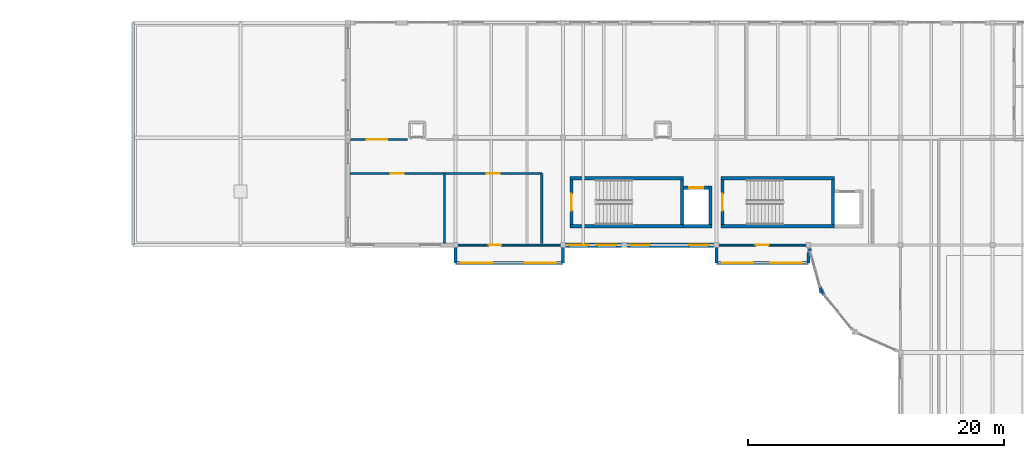
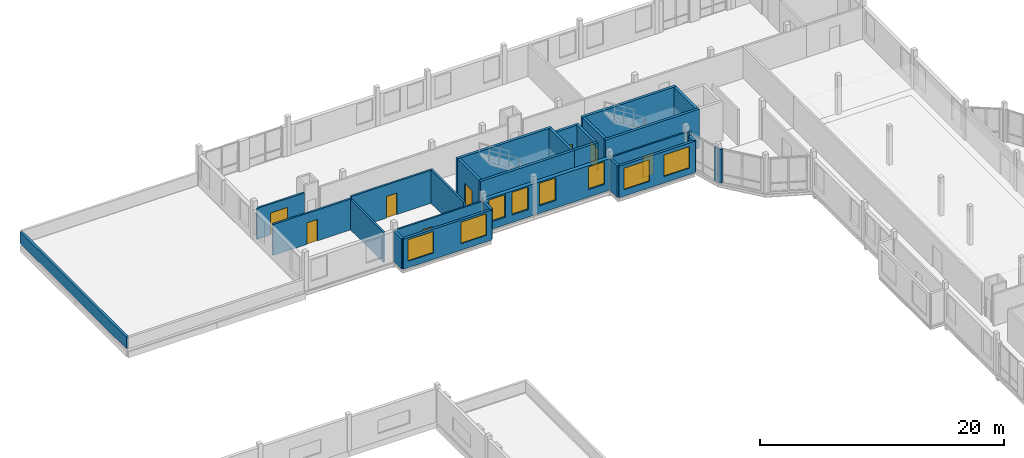
# One storey, part 41 of 57: 30 walls, 8 doors, 8 windows, 16 openings.
"""IFC4 building model written with IfcOpenShell, lengths in metres."""

from ifc_helpers import new_model, si_unit, direction, frame, frame_2d, origin, place, context, subcontext, project, spatial, rectangle, extrude, material, layer, layer_set, type_object, element, fill, save


model = new_model("IFC4")

# Units and contexts
model_context = context("Model", 3, precision=1e-05, world=origin(), true_north=direction((0.0, 1.0)))
body_context = subcontext(model_context, "Body", "Model", "MODEL_VIEW")
ifc_project = project(units=[si_unit("LENGTHUNIT", "METRE"), si_unit("AREAUNIT", "SQUARE_METRE"), si_unit("VOLUMEUNIT", "CUBIC_METRE"), si_unit("PLANEANGLEUNIT", "RADIAN"), si_unit("MASSUNIT", "GRAM", prefix="KILO")], contexts=[model_context])

# Site, building, storey
site_placement = place(None, origin())
site = spatial("IfcSite", under=ifc_project, at=site_placement, CompositionType="ELEMENT")
building_placement = place(site_placement, origin())
building = spatial("IfcBuilding", under=site, at=building_placement, Name="Kahlenmark Community Centre", CompositionType="ELEMENT")
storey_placement = place(building_placement, frame((0.0, 0.0, 13.800048828125)))
storey = spatial("IfcBuildingStorey", under=building, at=storey_placement, Name="L03", CompositionType="ELEMENT", Elevation=13.800048828125)

# Wall, opening, door
ifc_material_1 = material(Name="Concrete C35/45", Category="concrete")
ifc_layer_1 = layer(ifc_material_1, 0.25)
ifc_layer_set_1 = layer_set([ifc_layer_1], Name="Concrete C35/45")
wall_type_1 = type_object("IfcWallType", Name="WT-CORE-250", PredefinedType="SHEAR", material=ifc_layer_set_1)
wall_1_placement = place(storey_placement, frame((46.675048828125, 102.699951171875, 0.0), z_axis=(0.0, 0.0, 1.0), x_axis=(0.0, -1.0, 0.0)))
wall_1 = element("IfcWall", 1, at=wall_1_placement, inside=storey, type_object=wall_type_1, Name="Core K4 shear wall WL-CORE-K4-L03-0127", PredefinedType="SHEAR", context=body_context, shape_type="SweptSolid", body=[
    extrude(rectangle(XDim=3.5, YDim=0.25, at=frame_2d((1.75, 0.0))), origin(), (0.0, 0.0, 1.0), 3.89990234375),
])
opening_1_placement = place(wall_1_placement, frame((1.10009765625, 0.0, -0.010009765625)))
opening_1 = element("IfcOpeningElement", 2, at=opening_1_placement, cuts=wall_1, Name="Opening FD-K4-L03", PredefinedType="OPENING", context=body_context, shape_type="SweptSolid", body=[
    extrude(rectangle(XDim=1.300048828125, YDim=2.159912109375, at=frame_2d((0.64990234375, 1.080078125))), frame((0.0, 0.135009765625, 0.0), z_axis=(0.0, -1.0, 0.0), x_axis=(1.0, 0.0, 0.0)), (0.0, 0.0, 1.0), 0.27001953125),
])
ifc_material_2 = material(Name="Fire-rated steel-framed timber door FD60S", Category="steel")
door_type_1 = type_object("IfcDoorType", Name="DT-FD-K4-L03", OperationType="NOTDEFINED", PredefinedType="DOOR", material=ifc_material_2)
door_1_placement = place(opening_1_placement, frame((0.0, 0.0, 0.010009765625)))
door_1 = element("IfcDoor", 3, at=door_1_placement, inside=storey, type_object=door_type_1, Name="Core K4 stair fire door L03", OperationType="SINGLE_SWING_RIGHT", OverallHeight=2.14990234375, OverallWidth=1.300048828125, PredefinedType="DOOR", context=body_context, shape_type="SweptSolid", body=[
    extrude(rectangle(XDim=1.300048828125, YDim=2.14990234375, at=frame_2d((0.64990234375, 1.074951171875))), frame((0.0, 0.02490234375, 0.0), z_axis=(0.0, -1.0, 0.0), x_axis=(1.0, 0.0, 0.0)), (0.0, 0.0, 1.0), 0.050048828125),
])
fill(opening_1, door_1)

# Walls
for number, where, z_axis, x_axis, name in (
    (4, (46.550048828125, 99.074951171875, 0.0), (0.0, 0.0, 1.0), (1.0, 0.0, 0.0), "Core K4 shear wall WL-CORE-K4-L03-0128"),
    (5, (46.550048828125, 102.824951171875, 0.0), (0.0, 0.0, 1.0), (1.0, 0.0, 0.0), "Core K4 shear wall WL-CORE-K4-L03-0129"),
):
    element("IfcWall", number, at=place(storey_placement, frame(where, z_axis=z_axis, x_axis=x_axis)), inside=storey, type_object=wall_type_1, Name=name, PredefinedType="SHEAR", context=body_context, shape_type="SweptSolid", body=[
        extrude(rectangle(XDim=8.89990234375, YDim=0.25, at=frame_2d((4.449951171875, 0.0))), origin(), (0.0, 0.0, 1.0), 3.89990234375),
    ])
wall_2_placement = place(storey_placement, frame((55.324951171875, 99.199951171875, 0.0), z_axis=(0.0, 0.0, 1.0), x_axis=(0.0, 1.0, 0.0)))
element("IfcWall", 6, at=wall_2_placement, inside=storey, type_object=wall_type_1, Name="Core K4 shear wall WL-CORE-K4-L03-0130", PredefinedType="SHEAR", context=body_context, shape_type="SweptSolid", body=[
    extrude(rectangle(XDim=3.5, YDim=0.25, at=frame_2d((1.75, 0.0))), origin(), (0.0, 0.0, 1.0), 3.89990234375),
])
wall_3_placement = place(storey_placement, frame((55.449951171875, 99.074951171875, 0.0), z_axis=(0.0, 0.0, 1.0), x_axis=(1.0, 0.0, 0.0)))
element("IfcWall", 7, at=wall_3_placement, inside=storey, type_object=wall_type_1, Name="Core K4 shear wall WL-CORE-K4-L03-0131", PredefinedType="SHEAR", context=body_context, shape_type="SweptSolid", body=[
    extrude(rectangle(XDim=2.2099609375, YDim=0.25, at=frame_2d((1.10498046875, 0.0))), origin(), (0.0, 0.0, 1.0), 3.89990234375),
])
wall_4_placement = place(storey_placement, frame((57.534912109375, 98.949951171875, 0.0), z_axis=(0.0, 0.0, 1.0), x_axis=(0.0, 1.0, 0.0)))
element("IfcWall", 8, at=wall_4_placement, inside=storey, type_object=wall_type_1, Name="Core K4 shear wall WL-CORE-K4-L03-0132", PredefinedType="SHEAR", context=body_context, shape_type="SweptSolid", body=[
    extrude(rectangle(XDim=3.260009765625, YDim=0.25, at=frame_2d((1.6298828125, 0.0))), origin(), (0.0, 0.0, 1.0), 3.89990234375),
])

# Wall, opening, door
wall_5_placement = place(storey_placement, frame((55.449951171875, 102.0849609375, 0.0), z_axis=(0.0, 0.0, 1.0), x_axis=(1.0, 0.0, 0.0)))
wall_5 = element("IfcWall", 9, at=wall_5_placement, inside=storey, type_object=wall_type_1, Name="Core K4 shear wall WL-CORE-K4-L03-0133", PredefinedType="SHEAR", context=body_context, shape_type="SweptSolid", body=[
    extrude(rectangle(XDim=1.9599609375, YDim=0.25, at=frame_2d((0.97998046875, 0.0))), origin(), (0.0, 0.0, 1.0), 3.89990234375),
])
opening_2_placement = place(wall_5_placement, frame((0.429931640625, 0.0, -0.010009765625)))
opening_2 = element("IfcOpeningElement", 10, at=opening_2_placement, cuts=wall_5, Name="Opening LD-4", PredefinedType="OPENING", context=body_context, shape_type="SweptSolid", body=[
    extrude(rectangle(XDim=1.10009765625, YDim=2.159912109375, at=frame_2d((0.550048828125, 1.080078125))), frame((0.0, 0.135009765625, 0.0), z_axis=(0.0, -1.0, 0.0), x_axis=(1.0, 0.0, 0.0)), (0.0, 0.0, 1.0), 0.27001953125),
])
ifc_material_3 = material(Name="Brushed stainless steel sliding lift landing door", Category="steel")
door_type_2 = type_object("IfcDoorType", Name="DT-LD-K4", OperationType="SLIDING_TO_LEFT", PredefinedType="DOOR", material=ifc_material_3)
door_2_placement = place(opening_2_placement, frame((0.0, 0.0, 0.010009765625)))
door_2 = element("IfcDoor", 11, at=door_2_placement, inside=storey, type_object=door_type_2, Name="Lift LF-04 sliding landing door L03", OperationType="SLIDING_TO_LEFT", OverallHeight=2.14990234375, OverallWidth=1.10009765625, PredefinedType="DOOR", context=body_context, shape_type="SweptSolid", body=[
    extrude(rectangle(XDim=1.10009765625, YDim=2.14990234375, at=frame_2d((0.550048828125, 1.074951171875))), frame((0.0, 0.02490234375, 0.0), z_axis=(0.0, -1.0, 0.0), x_axis=(1.0, 0.0, 0.0)), (0.0, 0.0, 1.0), 0.050048828125),
])
fill(opening_2, door_2)

wall_6_placement = place(storey_placement, frame((58.47509765625, 102.699951171875, 0.0), z_axis=(0.0, 0.0, 1.0), x_axis=(0.0, -1.0, 0.0)))
wall_6 = element("IfcWall", 12, at=wall_6_placement, inside=storey, type_object=wall_type_1, Name="Core K5 shear wall WL-CORE-K5-L03-0176", PredefinedType="SHEAR", context=body_context, shape_type="SweptSolid", body=[
    extrude(rectangle(XDim=3.5, YDim=0.25, at=frame_2d((1.75, 0.0))), origin(), (0.0, 0.0, 1.0), 3.89990234375),
])
opening_3_placement = place(wall_6_placement, frame((1.10009765625, 0.0, -0.010009765625)))
opening_3 = element("IfcOpeningElement", 13, at=opening_3_placement, cuts=wall_6, Name="Opening FD-K5-L03", PredefinedType="OPENING", context=body_context, shape_type="SweptSolid", body=[
    extrude(rectangle(XDim=1.300048828125, YDim=2.159912109375, at=frame_2d((0.64990234375, 1.080078125))), frame((0.0, 0.135009765625, 0.0), z_axis=(0.0, -1.0, 0.0), x_axis=(1.0, 0.0, 0.0)), (0.0, 0.0, 1.0), 0.27001953125),
])
door_type_3 = type_object("IfcDoorType", Name="DT-FD-K5-L03", OperationType="NOTDEFINED", PredefinedType="DOOR", material=ifc_material_2)
door_3_placement = place(opening_3_placement, frame((1.300048828125, 0.0, 0.010009765625), z_axis=(0.0, 0.0, 1.0), x_axis=(-1.0, 0.0, 0.0)))
door_3 = element("IfcDoor", 14, at=door_3_placement, inside=storey, type_object=door_type_3, Name="Core K5 stair fire door L03", OperationType="SINGLE_SWING_LEFT", OverallHeight=2.14990234375, OverallWidth=1.300048828125, PredefinedType="DOOR", context=body_context, shape_type="SweptSolid", body=[
    extrude(rectangle(XDim=1.300048828125, YDim=2.14990234375, at=frame_2d((0.64990234375, 1.074951171875))), frame((0.0, 0.02490234375, 0.0), z_axis=(0.0, -1.0, 0.0), x_axis=(1.0, 0.0, 0.0)), (0.0, 0.0, 1.0), 0.050048828125),
])
fill(opening_3, door_3)

# Walls
for number, where, z_axis, x_axis, name in (
    (15, (58.35009765625, 99.074951171875, 0.0), (0.0, 0.0, 1.0), (1.0, 0.0, 0.0), "Core K5 shear wall WL-CORE-K5-L03-0177"),
    (16, (58.35009765625, 102.824951171875, 0.0), (0.0, 0.0, 1.0), (1.0, 0.0, 0.0), "Core K5 shear wall WL-CORE-K5-L03-0178"),
):
    element("IfcWall", number, at=place(storey_placement, frame(where, z_axis=z_axis, x_axis=x_axis)), inside=storey, type_object=wall_type_1, Name=name, PredefinedType="SHEAR", context=body_context, shape_type="SweptSolid", body=[
        extrude(rectangle(XDim=8.89990234375, YDim=0.25, at=frame_2d((4.449951171875, 0.0))), origin(), (0.0, 0.0, 1.0), 3.89990234375),
    ])
wall_7_placement = place(storey_placement, frame((67.125, 99.199951171875, 0.0), z_axis=(0.0, 0.0, 1.0), x_axis=(0.0, 1.0, 0.0)))
element("IfcWall", 17, at=wall_7_placement, inside=storey, type_object=wall_type_1, Name="Core K5 shear wall WL-CORE-K5-L03-0179", PredefinedType="SHEAR", context=body_context, shape_type="SweptSolid", body=[
    extrude(rectangle(XDim=3.5, YDim=0.25, at=frame_2d((1.75, 0.0))), origin(), (0.0, 0.0, 1.0), 3.89990234375),
])
ifc_material_4 = material(Name="Cross-laminated timber CLT C24", Category="wood")
ifc_layer_2 = layer(ifc_material_4, 0.239990234375)
ifc_layer_set_2 = layer_set([ifc_layer_2], Name="Cross-laminated timber CLT C24")
wall_type_2 = type_object("IfcWallType", Name="WT-EW-240", PredefinedType="SOLIDWALL", material=ifc_layer_set_2)
wall_8_placement = place(storey_placement, frame((65.27490234375, 97.330078125, 0.0), z_axis=(0.0, 0.0, 1.0), x_axis=(0.267529355044, -0.963549710285, 0.0)))
element("IfcWall", 18, at=wall_8_placement, inside=storey, type_object=wall_type_2, Name="Rotunda pier closure 0786", PredefinedType="SOLIDWALL", context=body_context, shape_type="SweptSolid", body=[
    extrude(rectangle(XDim=0.219970703125, YDim=0.239990234375, at=frame_2d((0.10986328125, 0.0))), origin(), (0.0, 0.0, 1.0), 3.369873046875),
])
for number, where, z_axis, x_axis, name in (
    (19, (66.10888671875, 94.32763671875, 0.0), (0.0, 0.0, 1.0), (0.267791974516, -0.963476755498, 0.0), "Rotunda pier closure 0787"),
    (20, (66.199951171875, 94.0, 0.0), (0.0, 0.0, 1.0), (0.630457451131, -0.776223809422, 0.0), "Rotunda pier closure 0788"),
):
    element("IfcWall", number, at=place(storey_placement, frame(where, z_axis=z_axis, x_axis=x_axis)), inside=storey, type_object=wall_type_2, Name=name, PredefinedType="SOLIDWALL", context=body_context, shape_type="SweptSolid", body=[
        extrude(rectangle(XDim=0.340087890625, YDim=0.239990234375, at=frame_2d((0.169921875, 0.0))), origin(), (0.0, 0.0, 1.0), 3.369873046875),
    ])
wall_9_placement = place(storey_placement, frame((37.60009765625, 97.449951171875, 0.0), z_axis=(0.0, 0.0, 1.0), x_axis=(0.0, -1.0, 0.0)))
element("IfcWall", 21, at=wall_9_placement, inside=storey, type_object=wall_type_2, Name="Bay oriel wall WL-ORI-L03-0826", PredefinedType="SOLIDWALL", context=body_context, shape_type="SweptSolid", body=[
    extrude(rectangle(XDim=1.25, YDim=0.239990234375, at=frame_2d((0.625, 0.0))), origin(), (0.0, 0.0, 1.0), 3.010009765625),
])

# Wall, openings, windows
wall_10_placement = place(storey_placement, frame((37.60009765625, 96.199951171875, 0.0), z_axis=(0.0, 0.0, 1.0), x_axis=(1.0, 0.0, 0.0)))
wall_10 = element("IfcWall", 22, at=wall_10_placement, inside=storey, type_object=wall_type_2, Name="Bay oriel wall WL-ORI-L03-0827", PredefinedType="SOLIDWALL", context=body_context, shape_type="SweptSolid", body=[
    extrude(rectangle(XDim=8.39990234375, YDim=0.239990234375, at=frame_2d((4.199951171875, 0.0))), origin(), (0.0, 0.0, 1.0), 3.010009765625),
])
opening_4_placement = place(wall_10_placement, frame((0.4599609375, 0.0, 0.64990234375)))
opening_4 = element("IfcOpeningElement", 23, at=opening_4_placement, cuts=wall_10, Name="Opening W-240X215", PredefinedType="OPENING", context=body_context, shape_type="SweptSolid", body=[
    extrude(rectangle(XDim=2.39990234375, YDim=2.14990234375, at=frame_2d((1.199951171875, 1.074951171875))), frame((0.0, 0.1298828125, 0.0), z_axis=(0.0, -1.0, 0.0), x_axis=(1.0, 0.0, 0.0)), (0.0, 0.0, 1.0), 0.260009765625),
])
opening_5_placement = place(wall_10_placement, frame((5.4599609375, 0.0, 0.64990234375)))
opening_5 = element("IfcOpeningElement", 24, at=opening_5_placement, cuts=wall_10, Name="Opening W-240X215", PredefinedType="OPENING", context=body_context, shape_type="SweptSolid", body=[
    extrude(rectangle(XDim=2.39990234375, YDim=2.14990234375, at=frame_2d((1.199951171875, 1.074951171875))), frame((0.0, 0.1298828125, 0.0), z_axis=(0.0, -1.0, 0.0), x_axis=(1.0, 0.0, 0.0)), (0.0, 0.0, 1.0), 0.260009765625),
])
ifc_material_5 = material(Name="Triple low-e insulated glazing in timber-aluminium frame", Category="wood")
window_type_1 = type_object("IfcWindowType", Name="WNT-240X215", PartitioningType="TRIPLE_PANEL_VERTICAL", PredefinedType="WINDOW", material=ifc_material_5)
window_1_placement = place(opening_4_placement, origin())
window_1 = element("IfcWindow", 25, at=window_1_placement, inside=storey, type_object=window_type_1, Name="Window W-240X215 #0515", OverallHeight=2.14990234375, OverallWidth=2.39990234375, PartitioningType="TRIPLE_PANEL_VERTICAL", PredefinedType="WINDOW", context=body_context, shape_type="SweptSolid", body=[
    extrude(rectangle(XDim=2.39990234375, YDim=2.14990234375, at=frame_2d((1.199951171875, 1.074951171875))), frame((0.0, 0.030029296875, 0.0), z_axis=(0.0, -1.0, 0.0), x_axis=(1.0, 0.0, 0.0)), (0.0, 0.0, 1.0), 0.06005859375),
])
fill(opening_4, window_1)
window_2_placement = place(opening_5_placement, origin())
window_2 = element("IfcWindow", 26, at=window_2_placement, inside=storey, type_object=window_type_1, Name="Window W-240X215 #0516", OverallHeight=2.14990234375, OverallWidth=2.39990234375, PartitioningType="TRIPLE_PANEL_VERTICAL", PredefinedType="WINDOW", context=body_context, shape_type="SweptSolid", body=[
    extrude(rectangle(XDim=2.39990234375, YDim=2.14990234375, at=frame_2d((1.199951171875, 1.074951171875))), frame((0.0, 0.030029296875, 0.0), z_axis=(0.0, -1.0, 0.0), x_axis=(1.0, 0.0, 0.0)), (0.0, 0.0, 1.0), 0.06005859375),
])
fill(opening_5, window_2)

# Walls
wall_11_placement = place(storey_placement, frame((46.0, 96.199951171875, 0.0), z_axis=(0.0, 0.0, 1.0), x_axis=(0.0, 1.0, 0.0)))
element("IfcWall", 27, at=wall_11_placement, inside=storey, type_object=wall_type_2, Name="Bay oriel wall WL-ORI-L03-0828", PredefinedType="SOLIDWALL", context=body_context, shape_type="SweptSolid", body=[
    extrude(rectangle(XDim=1.25, YDim=0.239990234375, at=frame_2d((0.625, 0.0))), origin(), (0.0, 0.0, 1.0), 3.010009765625),
])
wall_12_placement = place(storey_placement, frame((58.0, 97.449951171875, 0.0), z_axis=(0.0, 0.0, 1.0), x_axis=(0.0, -1.0, 0.0)))
element("IfcWall", 28, at=wall_12_placement, inside=storey, type_object=wall_type_2, Name="Bay oriel wall WL-ORI-L03-0838", PredefinedType="SOLIDWALL", context=body_context, shape_type="SweptSolid", body=[
    extrude(rectangle(XDim=1.25, YDim=0.239990234375, at=frame_2d((0.625, 0.0))), origin(), (0.0, 0.0, 1.0), 3.14990234375),
])

# Wall, openings, windows
wall_13_placement = place(storey_placement, frame((58.0, 96.199951171875, 0.0), z_axis=(0.0, 0.0, 1.0), x_axis=(1.0, 0.0, 0.0)))
wall_13 = element("IfcWall", 29, at=wall_13_placement, inside=storey, type_object=wall_type_2, Name="Bay oriel wall WL-ORI-L03-0839", PredefinedType="SOLIDWALL", context=body_context, shape_type="SweptSolid", body=[
    extrude(rectangle(XDim=7.199951171875, YDim=0.239990234375, at=frame_2d((3.60009765625, 0.0))), origin(), (0.0, 0.0, 1.0), 3.14990234375),
])
opening_6_placement = place(wall_13_placement, frame((0.4599609375, 0.0, 0.64990234375)))
opening_6 = element("IfcOpeningElement", 30, at=opening_6_placement, cuts=wall_13, Name="Opening W-240X215", PredefinedType="OPENING", context=body_context, shape_type="SweptSolid", body=[
    extrude(rectangle(XDim=2.39990234375, YDim=2.14990234375, at=frame_2d((1.199951171875, 1.074951171875))), frame((0.0, 0.1298828125, 0.0), z_axis=(0.0, -1.0, 0.0), x_axis=(1.0, 0.0, 0.0)), (0.0, 0.0, 1.0), 0.260009765625),
])
opening_7_placement = place(wall_13_placement, frame((4.260009765625, 0.0, 0.64990234375)))
opening_7 = element("IfcOpeningElement", 31, at=opening_7_placement, cuts=wall_13, Name="Opening W-240X215", PredefinedType="OPENING", context=body_context, shape_type="SweptSolid", body=[
    extrude(rectangle(XDim=2.39990234375, YDim=2.14990234375, at=frame_2d((1.199951171875, 1.074951171875))), frame((0.0, 0.1298828125, 0.0), z_axis=(0.0, -1.0, 0.0), x_axis=(1.0, 0.0, 0.0)), (0.0, 0.0, 1.0), 0.260009765625),
])
window_3_placement = place(opening_6_placement, origin())
window_3 = element("IfcWindow", 32, at=window_3_placement, inside=storey, type_object=window_type_1, Name="Window W-240X215 #0523", OverallHeight=2.14990234375, OverallWidth=2.39990234375, PartitioningType="TRIPLE_PANEL_VERTICAL", PredefinedType="WINDOW", context=body_context, shape_type="SweptSolid", body=[
    extrude(rectangle(XDim=2.39990234375, YDim=2.14990234375, at=frame_2d((1.199951171875, 1.074951171875))), frame((0.0, 0.030029296875, 0.0), z_axis=(0.0, -1.0, 0.0), x_axis=(1.0, 0.0, 0.0)), (0.0, 0.0, 1.0), 0.06005859375),
])
fill(opening_6, window_3)
window_4_placement = place(opening_7_placement, origin())
window_4 = element("IfcWindow", 33, at=window_4_placement, inside=storey, type_object=window_type_1, Name="Window W-240X215 #0524", OverallHeight=2.14990234375, OverallWidth=2.39990234375, PartitioningType="TRIPLE_PANEL_VERTICAL", PredefinedType="WINDOW", context=body_context, shape_type="SweptSolid", body=[
    extrude(rectangle(XDim=2.39990234375, YDim=2.14990234375, at=frame_2d((1.199951171875, 1.074951171875))), frame((0.0, 0.030029296875, 0.0), z_axis=(0.0, -1.0, 0.0), x_axis=(1.0, 0.0, 0.0)), (0.0, 0.0, 1.0), 0.06005859375),
])
fill(opening_7, window_4)

# Wall
wall_14_placement = place(storey_placement, frame((65.199951171875, 96.199951171875, 0.0), z_axis=(0.0, 0.0, 1.0), x_axis=(0.0, 1.0, 0.0)))
element("IfcWall", 34, at=wall_14_placement, inside=storey, type_object=wall_type_2, Name="Bay oriel wall WL-ORI-L03-0840", PredefinedType="SOLIDWALL", context=body_context, shape_type="SweptSolid", body=[
    extrude(rectangle(XDim=0.820068359375, YDim=0.239990234375, at=frame_2d((0.41015625, 0.0))), origin(), (0.0, 0.0, 1.0), 3.14990234375),
])

# Wall, openings, windows
ifc_material_6 = material(Name="Danube limestone masonry", Category="masonry")
ifc_layer_3 = layer(ifc_material_6, 0.360107421875)
ifc_layer_set_3 = layer_set([ifc_layer_3], Name="Danube limestone masonry")
wall_type_3 = type_object("IfcWallType", Name="WT-EW-360", PredefinedType="SOLIDWALL", material=ifc_layer_set_3)
wall_15_placement = place(storey_placement, frame((46.0, 97.60009765625, 0.0), z_axis=(0.0, 0.0, 1.0), x_axis=(1.0, 0.0, 0.0)))
wall_15 = element("IfcWall", 35, at=wall_15_placement, inside=storey, type_object=wall_type_3, Name="Exterior wall WL-EXT-L03-0592", PredefinedType="SOLIDWALL", context=body_context, shape_type="SweptSolid", body=[
    extrude(rectangle(XDim=4.800048828125, YDim=0.360107421875, at=frame_2d((2.39990234375, 0.0))), origin(), (0.0, 0.0, 1.0), 3.14990234375),
])
opening_8_placement = place(wall_15_placement, frame((0.4599609375, 0.0, 0.75)))
opening_8 = element("IfcOpeningElement", 36, at=opening_8_placement, cuts=wall_15, Name="Opening W-155X226", PredefinedType="OPENING", context=body_context, shape_type="SweptSolid", body=[
    extrude(rectangle(XDim=1.550048828125, YDim=2.260009765625, at=frame_2d((0.77490234375, 1.1298828125))), frame((0.0, 0.18994140625, 0.0), z_axis=(0.0, -1.0, 0.0), x_axis=(1.0, 0.0, 0.0)), (0.0, 0.0, 1.0), 0.380126953125),
])
opening_9_placement = place(wall_15_placement, frame((2.659912109375, 0.0, 0.75)))
opening_9 = element("IfcOpeningElement", 37, at=opening_9_placement, cuts=wall_15, Name="Opening W-155X226", PredefinedType="OPENING", context=body_context, shape_type="SweptSolid", body=[
    extrude(rectangle(XDim=1.550048828125, YDim=2.260009765625, at=frame_2d((0.77490234375, 1.1298828125))), frame((0.0, 0.18994140625, 0.0), z_axis=(0.0, -1.0, 0.0), x_axis=(1.0, 0.0, 0.0)), (0.0, 0.0, 1.0), 0.380126953125),
])
ifc_material_7 = material(Name="Deep-reveal limestone punched triple glazing", Category="masonry")
window_type_2 = type_object("IfcWindowType", Name="WNT-155X226", PartitioningType="DOUBLE_PANEL_HORIZONTAL", PredefinedType="WINDOW", material=ifc_material_7)
window_5_placement = place(opening_8_placement, origin())
window_5 = element("IfcWindow", 38, at=window_5_placement, inside=storey, type_object=window_type_2, Name="Window W-155X226 #0361", OverallHeight=2.260009765625, OverallWidth=1.550048828125, PartitioningType="DOUBLE_PANEL_HORIZONTAL", PredefinedType="WINDOW", context=body_context, shape_type="SweptSolid", body=[
    extrude(rectangle(XDim=1.550048828125, YDim=2.260009765625, at=frame_2d((0.77490234375, 1.1298828125))), frame((0.0, 0.030029296875, 0.0), z_axis=(0.0, -1.0, 0.0), x_axis=(1.0, 0.0, 0.0)), (0.0, 0.0, 1.0), 0.06005859375),
])
fill(opening_8, window_5)
window_6_placement = place(opening_9_placement, origin())
window_6 = element("IfcWindow", 39, at=window_6_placement, inside=storey, type_object=window_type_2, Name="Window W-155X226 #0362", OverallHeight=2.260009765625, OverallWidth=1.550048828125, PartitioningType="DOUBLE_PANEL_HORIZONTAL", PredefinedType="WINDOW", context=body_context, shape_type="SweptSolid", body=[
    extrude(rectangle(XDim=1.550048828125, YDim=2.260009765625, at=frame_2d((0.77490234375, 1.1298828125))), frame((0.0, 0.030029296875, 0.0), z_axis=(0.0, -1.0, 0.0), x_axis=(1.0, 0.0, 0.0)), (0.0, 0.0, 1.0), 0.06005859375),
])
fill(opening_9, window_6)

wall_16_placement = place(storey_placement, frame((50.800048828125, 97.60009765625, 0.0), z_axis=(0.0, 0.0, 1.0), x_axis=(1.0, 0.0, 0.0)))
wall_16 = element("IfcWall", 40, at=wall_16_placement, inside=storey, type_object=wall_type_3, Name="Exterior wall WL-EXT-L03-0593", PredefinedType="SOLIDWALL", context=body_context, shape_type="SweptSolid", body=[
    extrude(rectangle(XDim=7.199951171875, YDim=0.360107421875, at=frame_2d((3.60009765625, 0.0))), origin(), (0.0, 0.0, 1.0), 3.14990234375),
])
opening_10_placement = place(wall_16_placement, frame((0.4599609375, 0.0, 0.75)))
opening_10 = element("IfcOpeningElement", 41, at=opening_10_placement, cuts=wall_16, Name="Opening W-155X226", PredefinedType="OPENING", context=body_context, shape_type="SweptSolid", body=[
    extrude(rectangle(XDim=1.550048828125, YDim=2.260009765625, at=frame_2d((0.77490234375, 1.1298828125))), frame((0.0, 0.18994140625, 0.0), z_axis=(0.0, -1.0, 0.0), x_axis=(1.0, 0.0, 0.0)), (0.0, 0.0, 1.0), 0.380126953125),
])
opening_11_placement = place(wall_16_placement, frame((5.06005859375, 0.0, 0.75)))
opening_11 = element("IfcOpeningElement", 42, at=opening_11_placement, cuts=wall_16, Name="Opening W-155X226", PredefinedType="OPENING", context=body_context, shape_type="SweptSolid", body=[
    extrude(rectangle(XDim=1.550048828125, YDim=2.260009765625, at=frame_2d((0.77490234375, 1.1298828125))), frame((0.0, 0.18994140625, 0.0), z_axis=(0.0, -1.0, 0.0), x_axis=(1.0, 0.0, 0.0)), (0.0, 0.0, 1.0), 0.380126953125),
])
window_7_placement = place(opening_10_placement, origin())
window_7 = element("IfcWindow", 43, at=window_7_placement, inside=storey, type_object=window_type_2, Name="Window W-155X226 #0363", OverallHeight=2.260009765625, OverallWidth=1.550048828125, PartitioningType="DOUBLE_PANEL_HORIZONTAL", PredefinedType="WINDOW", context=body_context, shape_type="SweptSolid", body=[
    extrude(rectangle(XDim=1.550048828125, YDim=2.260009765625, at=frame_2d((0.77490234375, 1.1298828125))), frame((0.0, 0.030029296875, 0.0), z_axis=(0.0, -1.0, 0.0), x_axis=(1.0, 0.0, 0.0)), (0.0, 0.0, 1.0), 0.06005859375),
])
fill(opening_10, window_7)
window_8_placement = place(opening_11_placement, origin())
window_8 = element("IfcWindow", 44, at=window_8_placement, inside=storey, type_object=window_type_2, Name="Window W-155X226 #0364", OverallHeight=2.260009765625, OverallWidth=1.550048828125, PartitioningType="DOUBLE_PANEL_HORIZONTAL", PredefinedType="WINDOW", context=body_context, shape_type="SweptSolid", body=[
    extrude(rectangle(XDim=1.550048828125, YDim=2.260009765625, at=frame_2d((0.77490234375, 1.1298828125))), frame((0.0, 0.030029296875, 0.0), z_axis=(0.0, -1.0, 0.0), x_axis=(1.0, 0.0, 0.0)), (0.0, 0.0, 1.0), 0.06005859375),
])
fill(opening_11, window_8)

# Wall
ifc_material_8 = material(Name="Concrete C30/37", Category="concrete")
ifc_layer_4 = layer(ifc_material_8, 0.219970703125)
ifc_layer_set_4 = layer_set([ifc_layer_4], Name="Concrete C30/37")
wall_type_4 = type_object("IfcWallType", Name="WT-PAR-220", PredefinedType="PARAPET", material=ifc_layer_set_4)
wall_17_placement = place(storey_placement, frame((12.39990234375, 97.60009765625, 0.0), z_axis=(0.0, 0.0, 1.0), x_axis=(0.0, 1.0, 0.0)))
element("IfcWall", 45, at=wall_17_placement, inside=storey, type_object=wall_type_4, Name="Roof parapet 1041", PredefinedType="PARAPET", context=body_context, shape_type="SweptSolid", body=[
    extrude(rectangle(XDim=17.39990234375, YDim=0.219970703125, at=frame_2d((8.699951171875, 0.0))), origin(), (0.0, 0.0, 1.0), 1.14990234375),
])

# Wall, opening, door
ifc_material_9 = material(Name="Gypsum plasterboard partition", Category="gypsum")
ifc_layer_5 = layer(ifc_material_9, 0.14990234375)
ifc_layer_set_5 = layer_set([ifc_layer_5], Name="Gypsum plasterboard partition")
wall_type_5 = type_object("IfcWallType", Name="WT-PW-150", PredefinedType="PARTITIONING", material=ifc_layer_set_5)
wall_18_placement = place(storey_placement, frame((58.0, 97.60009765625, 0.0), z_axis=(0.0, 0.0, 1.0), x_axis=(1.0, 0.0, 0.0)))
wall_18 = element("IfcWall", 46, at=wall_18_placement, inside=storey, type_object=wall_type_5, Name="Interior partition WL-INT-L03-0231", PredefinedType="PARTITIONING", context=body_context, shape_type="SweptSolid", body=[
    extrude(rectangle(XDim=7.199951171875, YDim=0.14990234375, at=frame_2d((3.60009765625, 0.0))), origin(), (0.0, 0.0, 1.0), 3.14990234375),
])
opening_12_placement = place(wall_18_placement, frame((3.10009765625, 0.0, -0.010009765625)))
opening_12 = element("IfcOpeningElement", 47, at=opening_12_placement, cuts=wall_18, Name="Opening D-L03-133", PredefinedType="OPENING", context=body_context, shape_type="SweptSolid", body=[
    extrude(rectangle(XDim=1.0, YDim=2.159912109375, at=frame_2d((0.5, 1.080078125))), frame((0.0, 0.0849609375, 0.0), z_axis=(0.0, -1.0, 0.0), x_axis=(1.0, 0.0, 0.0)), (0.0, 0.0, 1.0), 0.169921875),
])
ifc_material_10 = material(Name="Oak timber veneer door leaf", Category="wood")
door_type_4 = type_object("IfcDoorType", Name="DT-INT-100X215", OperationType="NOTDEFINED", PredefinedType="DOOR", material=ifc_material_10)
door_4_placement = place(opening_12_placement, frame((0.0, 0.0, 0.010009765625)))
door_4 = element("IfcDoor", 48, at=door_4_placement, inside=storey, type_object=door_type_4, Name="Interior door D-L03-133", OperationType="SINGLE_SWING_RIGHT", OverallHeight=2.14990234375, OverallWidth=1.0, PredefinedType="DOOR", context=body_context, shape_type="SweptSolid", body=[
    extrude(rectangle(XDim=1.0, YDim=2.14990234375, at=frame_2d((0.5, 1.074951171875))), frame((0.0, 0.02490234375, 0.0), z_axis=(0.0, -1.0, 0.0), x_axis=(1.0, 0.0, 0.0)), (0.0, 0.0, 1.0), 0.050048828125),
])
fill(opening_12, door_4)

wall_19_placement = place(storey_placement, frame((37.60009765625, 97.60009765625, 0.0), z_axis=(0.0, 0.0, 1.0), x_axis=(1.0, 0.0, 0.0)))
wall_19 = element("IfcWall", 49, at=wall_19_placement, inside=storey, type_object=wall_type_5, Name="Interior partition WL-INT-L03-0232", PredefinedType="PARTITIONING", context=body_context, shape_type="SweptSolid", body=[
    extrude(rectangle(XDim=8.39990234375, YDim=0.14990234375, at=frame_2d((4.199951171875, 0.0))), origin(), (0.0, 0.0, 1.0), 3.010009765625),
])
opening_13_placement = place(wall_19_placement, frame((2.590087890625, 0.0, -0.010009765625)))
opening_13 = element("IfcOpeningElement", 50, at=opening_13_placement, cuts=wall_19, Name="Opening D-L03-134", PredefinedType="OPENING", context=body_context, shape_type="SweptSolid", body=[
    extrude(rectangle(XDim=1.0, YDim=2.159912109375, at=frame_2d((0.5, 1.080078125))), frame((0.0, 0.0849609375, 0.0), z_axis=(0.0, -1.0, 0.0), x_axis=(1.0, 0.0, 0.0)), (0.0, 0.0, 1.0), 0.169921875),
])
door_5_placement = place(opening_13_placement, frame((0.0, 0.0, 0.010009765625)))
door_5 = element("IfcDoor", 51, at=door_5_placement, inside=storey, type_object=door_type_4, Name="Interior door D-L03-134", OperationType="SINGLE_SWING_LEFT", OverallHeight=2.14990234375, OverallWidth=1.0, PredefinedType="DOOR", context=body_context, shape_type="SweptSolid", body=[
    extrude(rectangle(XDim=1.0, YDim=2.14990234375, at=frame_2d((0.5, 1.074951171875))), frame((0.0, 0.02490234375, 0.0), z_axis=(0.0, -1.0, 0.0), x_axis=(1.0, 0.0, 0.0)), (0.0, 0.0, 1.0), 0.050048828125),
])
fill(opening_13, door_5)

ifc_layer_6 = layer(ifc_material_9, 0.179931640625)
ifc_layer_set_6 = layer_set([ifc_layer_6], Name="Gypsum plasterboard partition")
wall_type_6 = type_object("IfcWallType", Name="WT-PW-180", PredefinedType="PARTITIONING", material=ifc_layer_set_6)
wall_20_placement = place(storey_placement, frame((29.340087890625, 103.199951171875, 0.0), z_axis=(0.0, 0.0, 1.0), x_axis=(1.0, 0.0, 0.0)))
wall_20 = element("IfcWall", 52, at=wall_20_placement, inside=storey, type_object=wall_type_6, Name="Interior partition WL-INT-L03-0225", PredefinedType="PARTITIONING", context=body_context, shape_type="SweptSolid", body=[
    extrude(rectangle(XDim=7.409912109375, YDim=0.179931640625, at=frame_2d((3.705078125, 0.0))), origin(), (0.0, 0.0, 1.0), 3.08984375),
])
opening_14_placement = place(wall_20_placement, frame((3.205078125, 0.0, -0.010009765625)))
opening_14 = element("IfcOpeningElement", 53, at=opening_14_placement, cuts=wall_20, Name="Opening D-L03-129", PredefinedType="OPENING", context=body_context, shape_type="SweptSolid", body=[
    extrude(rectangle(XDim=1.0, YDim=2.159912109375, at=frame_2d((0.5, 1.080078125))), frame((0.0, 0.099853515625, 0.0), z_axis=(0.0, -1.0, 0.0), x_axis=(1.0, 0.0, 0.0)), (0.0, 0.0, 1.0), 0.199951171875),
])
door_6_placement = place(opening_14_placement, frame((1.0, 0.0, 0.010009765625), z_axis=(0.0, 0.0, 1.0), x_axis=(-1.0, 0.0, 0.0)))
door_6 = element("IfcDoor", 54, at=door_6_placement, inside=storey, type_object=door_type_4, Name="Interior door D-L03-129", OperationType="SINGLE_SWING_RIGHT", OverallHeight=2.14990234375, OverallWidth=1.0, PredefinedType="DOOR", context=body_context, shape_type="SweptSolid", body=[
    extrude(rectangle(XDim=1.0, YDim=2.14990234375, at=frame_2d((0.5, 1.074951171875))), frame((0.0, 0.02490234375, 0.0), z_axis=(0.0, -1.0, 0.0), x_axis=(1.0, 0.0, 0.0)), (0.0, 0.0, 1.0), 0.050048828125),
])
fill(opening_14, door_6)

wall_21_placement = place(storey_placement, frame((36.75, 103.199951171875, 0.0), z_axis=(0.0, 0.0, 1.0), x_axis=(1.0, 0.0, 0.0)))
wall_21 = element("IfcWall", 55, at=wall_21_placement, inside=storey, type_object=wall_type_6, Name="Interior partition WL-INT-L03-0226", PredefinedType="PARTITIONING", context=body_context, shape_type="SweptSolid", body=[
    extrude(rectangle(XDim=7.60009765625, YDim=0.179931640625, at=frame_2d((3.800048828125, 0.0))), origin(), (0.0, 0.0, 1.0), 3.31005859375),
])
opening_15_placement = place(wall_21_placement, frame((3.300048828125, 0.0, -0.010009765625)))
opening_15 = element("IfcOpeningElement", 56, at=opening_15_placement, cuts=wall_21, Name="Opening D-L03-130", PredefinedType="OPENING", context=body_context, shape_type="SweptSolid", body=[
    extrude(rectangle(XDim=1.0, YDim=2.159912109375, at=frame_2d((0.5, 1.080078125))), frame((0.0, 0.099853515625, 0.0), z_axis=(0.0, -1.0, 0.0), x_axis=(1.0, 0.0, 0.0)), (0.0, 0.0, 1.0), 0.199951171875),
])
door_7_placement = place(opening_15_placement, frame((0.0, 0.0, 0.010009765625)))
door_7 = element("IfcDoor", 57, at=door_7_placement, inside=storey, type_object=door_type_4, Name="Interior door D-L03-130", OperationType="SINGLE_SWING_LEFT", OverallHeight=2.14990234375, OverallWidth=1.0, PredefinedType="DOOR", context=body_context, shape_type="SweptSolid", body=[
    extrude(rectangle(XDim=1.0, YDim=2.14990234375, at=frame_2d((0.5, 1.074951171875))), frame((0.0, 0.02490234375, 0.0), z_axis=(0.0, -1.0, 0.0), x_axis=(1.0, 0.0, 0.0)), (0.0, 0.0, 1.0), 0.050048828125),
])
fill(opening_15, door_7)

# Walls
wall_22_placement = place(storey_placement, frame((36.75, 97.739990234375, 0.0), z_axis=(0.0, 0.0, 1.0), x_axis=(0.0, 1.0, 0.0)))
element("IfcWall", 58, at=wall_22_placement, inside=storey, type_object=wall_type_6, Name="Interior partition WL-INT-L03-0227", PredefinedType="PARTITIONING", context=body_context, shape_type="SweptSolid", body=[
    extrude(rectangle(XDim=5.4599609375, YDim=0.179931640625, at=frame_2d((2.72998046875, 0.0))), origin(), (0.0, 0.0, 1.0), 3.010009765625),
])
wall_23_placement = place(storey_placement, frame((44.35009765625, 97.739990234375, 0.0), z_axis=(0.0, 0.0, 1.0), x_axis=(0.0, 1.0, 0.0)))
element("IfcWall", 59, at=wall_23_placement, inside=storey, type_object=wall_type_6, Name="Interior partition WL-INT-L03-0228", PredefinedType="PARTITIONING", context=body_context, shape_type="SweptSolid", body=[
    extrude(rectangle(XDim=5.4599609375, YDim=0.179931640625, at=frame_2d((2.72998046875, 0.0))), origin(), (0.0, 0.0, 1.0), 3.369873046875),
])

# Wall, opening, door
wall_24_placement = place(storey_placement, frame((29.340087890625, 105.85009765625, 0.0), z_axis=(0.0, 0.0, 1.0), x_axis=(1.0, 0.0, 0.0)))
wall_24 = element("IfcWall", 60, at=wall_24_placement, inside=storey, type_object=wall_type_6, Name="Interior partition WL-INT-L03-0234", PredefinedType="PARTITIONING", context=body_context, shape_type="SweptSolid", body=[
    extrude(rectangle(XDim=4.510009765625, YDim=0.179931640625, at=frame_2d((2.2548828125, 0.0))), origin(), (0.0, 0.0, 1.0), 3.08984375),
])
opening_16_placement = place(wall_24_placement, frame((1.31005859375, 0.0, -0.010009765625)))
opening_16 = element("IfcOpeningElement", 61, at=opening_16_placement, cuts=wall_24, Name="Opening D-L03-135", PredefinedType="OPENING", context=body_context, shape_type="SweptSolid", body=[
    extrude(rectangle(XDim=1.60009765625, YDim=2.2099609375, at=frame_2d((0.800048828125, 1.10498046875))), frame((0.0, 0.099853515625, 0.0), z_axis=(0.0, -1.0, 0.0), x_axis=(1.0, 0.0, 0.0)), (0.0, 0.0, 1.0), 0.199951171875),
])
ifc_material_11 = material(Name="Oak double-leaf acoustic door")
door_type_5 = type_object("IfcDoorType", Name="DT-DBL-160X220", OperationType="NOTDEFINED", PredefinedType="DOOR", material=ifc_material_11)
door_8_placement = place(opening_16_placement, frame((1.60009765625, 0.0, 0.010009765625), z_axis=(0.0, 0.0, 1.0), x_axis=(-1.0, 0.0, 0.0)))
door_8 = element("IfcDoor", 62, at=door_8_placement, inside=storey, type_object=door_type_5, Name="Interior door D-L03-135", OperationType="DOUBLE_SWING_LEFT", OverallHeight=2.199951171875, OverallWidth=1.60009765625, PredefinedType="DOOR", context=body_context, shape_type="SweptSolid", body=[
    extrude(rectangle(XDim=1.60009765625, YDim=2.199951171875, at=frame_2d((0.800048828125, 1.10009765625))), frame((0.0, 0.02490234375, 0.0), z_axis=(0.0, -1.0, 0.0), x_axis=(1.0, 0.0, 0.0)), (0.0, 0.0, 1.0), 0.050048828125),
])
fill(opening_16, door_8)

save(model, "model.ifc")
